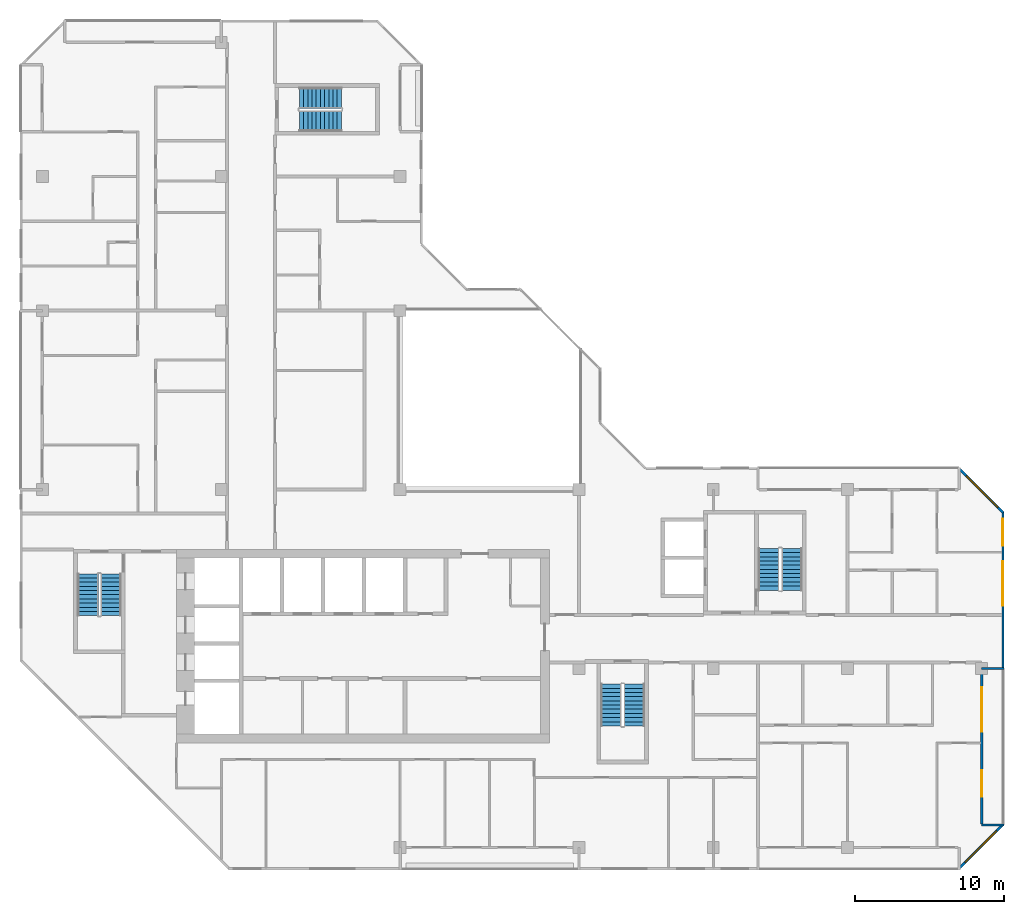
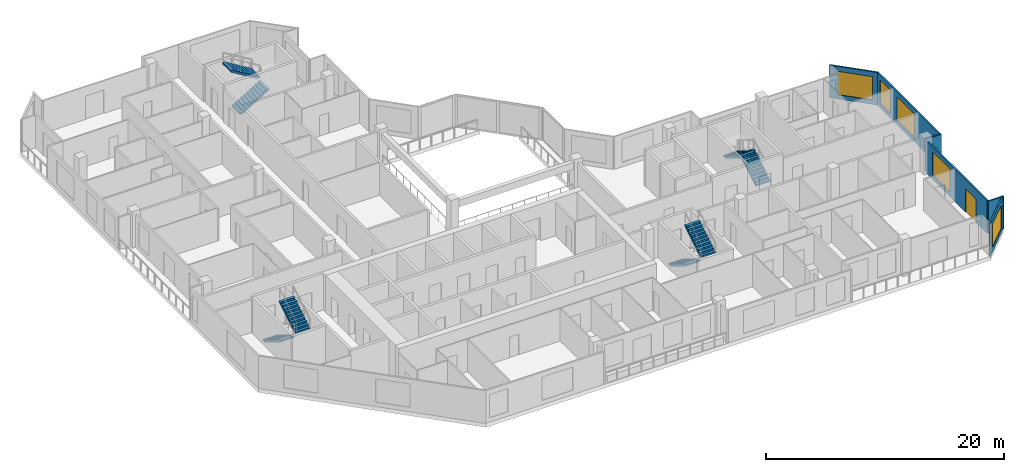
# One storey, part 11 of 13: 8 stair flights, 6 walls, 5 windows, 1 door, 6 openings, 4 elements without a shape of their own.
"""IFC4 building model written with IfcOpenShell, lengths in metres."""

from ifc_helpers import new_model, si_unit, direction, frame, frame_2d, origin, place, context, subcontext, project, spatial, polyline, rectangle, outline, extrude, material, layer, layer_set, type_object, element, fill, aggregate, save


model = new_model("IFC4")

# Units and contexts
model_context = context("Model", 3, precision=1e-05, world=origin(), true_north=direction((0.0, 1.0)))
body_context = subcontext(model_context, "Body", "Model", "MODEL_VIEW")
ifc_project = project(units=[si_unit("LENGTHUNIT", "METRE"), si_unit("AREAUNIT", "SQUARE_METRE"), si_unit("VOLUMEUNIT", "CUBIC_METRE"), si_unit("PLANEANGLEUNIT", "RADIAN"), si_unit("MASSUNIT", "GRAM", prefix="KILO")], contexts=[model_context])

# Site, building, storey
site_placement = place(None, origin())
site = spatial("IfcSite", under=ifc_project, at=site_placement, CompositionType="ELEMENT")
building_placement = place(site_placement, origin())
building = spatial("IfcBuilding", under=site, at=building_placement, Name="Chenar Terraces", CompositionType="ELEMENT")
storey_placement = place(building_placement, frame((0.0, 0.0, 292.14990234375)))
storey = spatial("IfcBuildingStorey", under=building, at=storey_placement, Name="L68", CompositionType="ELEMENT", Elevation=292.14990234375)

# Wall, openings, windows
ifc_material_1 = material(Name="Aluminium framed glazing", Category="aluminium")
ifc_layer_1 = layer(ifc_material_1, 0.14990234375)
ifc_layer_set_1 = layer_set([ifc_layer_1], Name="Aluminium framed glazing")
wall_type_1 = type_object("IfcWallType", Name="Glazed flush facade wall 150", PredefinedType="SOLIDWALL", material=ifc_layer_set_1)
wall_1_placement = place(storey_placement, frame((64.425048828125, 12.074951171875, 0.0), z_axis=(0.0, 0.0, 1.0), x_axis=(0.0, 1.0, 0.0)))
wall_1 = element("IfcWall", 1, at=wall_1_placement, inside=storey, type_object=wall_type_1, Name="Glazed flush facade wall", PredefinedType="SOLIDWALL", context=body_context, shape_type="SweptSolid", body=[
    extrude(rectangle(XDim=10.425048828125, YDim=0.14990234375, at=frame_2d((5.21240234375, 0.0))), origin(), (0.0, 0.0, 1.0), 3.35009765625),
])
opening_1_placement = place(wall_1_placement, frame((4.125, 0.0, 0.449951171875)))
opening_1 = element("IfcOpeningElement", 2, at=opening_1_placement, cuts=wall_1, Name="Opening W300x240", PredefinedType="OPENING", context=body_context, shape_type="SweptSolid", body=[
    extrude(rectangle(XDim=3.0, YDim=2.39990234375, at=frame_2d((1.5, 1.199951171875))), frame((0.0, 0.0849609375, 0.0), z_axis=(0.0, -1.0, 0.0), x_axis=(1.0, 0.0, 0.0)), (0.0, 0.0, 1.0), 0.169921875),
])
opening_2_placement = place(wall_1_placement, frame((8.175048828125, 0.0, 0.449951171875)))
opening_2 = element("IfcOpeningElement", 3, at=opening_2_placement, cuts=wall_1, Name="Opening W180x240", PredefinedType="OPENING", context=body_context, shape_type="SweptSolid", body=[
    extrude(rectangle(XDim=1.800048828125, YDim=2.39990234375, at=frame_2d((0.89990234375, 1.199951171875))), frame((0.0, 0.0849609375, 0.0), z_axis=(0.0, -1.0, 0.0), x_axis=(1.0, 0.0, 0.0)), (0.0, 0.0, 1.0), 0.169921875),
])
ifc_material_2 = material(Name="Low emissivity double glazing, aluminium frame", Category="aluminium")
window_type_1 = type_object("IfcWindowType", Name="Fixed light 1800 x 2400", PartitioningType="SINGLE_PANEL", PredefinedType="WINDOW", material=ifc_material_2)
window_1_placement = place(opening_2_placement, origin())
window_1 = element("IfcWindow", 4, at=window_1_placement, inside=storey, type_object=window_type_1, Name="Window", OverallHeight=2.39990234375, OverallWidth=1.800048828125, PartitioningType="SINGLE_PANEL", PredefinedType="WINDOW", context=body_context, shape_type="SweptSolid", body=[
    extrude(rectangle(XDim=1.800048828125, YDim=2.39990234375, at=frame_2d((0.89990234375, 1.199951171875))), frame((0.0, 0.030029296875, 0.0), z_axis=(0.0, -1.0, 0.0), x_axis=(1.0, 0.0, 0.0)), (0.0, 0.0, 1.0), 0.06005859375),
])
fill(opening_2, window_1)
ifc_material_3 = material(Name="Low emissivity double glazing, aluminium frame", Category="aluminium")
window_type_2 = type_object("IfcWindowType", Name="Fixed light 3000 x 2400", PartitioningType="SINGLE_PANEL", PredefinedType="WINDOW", material=ifc_material_3)
window_2_placement = place(opening_1_placement, origin())
window_2 = element("IfcWindow", 5, at=window_2_placement, inside=storey, type_object=window_type_2, Name="Window", OverallHeight=2.39990234375, OverallWidth=3.0, PartitioningType="SINGLE_PANEL", PredefinedType="WINDOW", context=body_context, shape_type="SweptSolid", body=[
    extrude(rectangle(XDim=3.0, YDim=2.39990234375, at=frame_2d((1.5, 1.199951171875))), frame((0.0, 0.030029296875, 0.0), z_axis=(0.0, -1.0, 0.0), x_axis=(1.0, 0.0, 0.0)), (0.0, 0.0, 1.0), 0.06005859375),
])
fill(opening_1, window_2)

# Wall, openings, window, door
ifc_material_4 = material(Name="Aluminium framed glazing", Category="aluminium")
ifc_layer_2 = layer(ifc_material_4, 0.14990234375)
ifc_layer_set_2 = layer_set([ifc_layer_2], Name="Aluminium framed glazing")
wall_type_2 = type_object("IfcWallType", Name="Glazed loggia back wall 150", PredefinedType="SOLIDWALL", material=ifc_layer_set_2)
wall_2_placement = place(storey_placement, frame((63.0, 1.574951171875, 0.0), z_axis=(0.0, 0.0, 1.0), x_axis=(0.0, 1.0, 0.0)))
wall_2 = element("IfcWall", 6, at=wall_2_placement, inside=storey, type_object=wall_type_2, Name="Glazed loggia back wall", PredefinedType="SOLIDWALL", context=body_context, shape_type="SweptSolid", body=[
    extrude(rectangle(XDim=10.35009765625, YDim=0.14990234375, at=frame_2d((5.175048828125, 0.0))), origin(), (0.0, 0.0, 1.0), 3.35009765625),
])
opening_3_placement = place(wall_2_placement, frame((1.8125, 0.0, 0.0)))
opening_3 = element("IfcOpeningElement", 7, at=opening_3_placement, cuts=wall_2, Name="Opening DL68-G7", PredefinedType="OPENING", context=body_context, shape_type="SweptSolid", body=[
    extrude(rectangle(XDim=1.800048828125, YDim=2.39990234375, at=frame_2d((0.89990234375, 1.199951171875))), frame((0.0, 0.0849609375, 0.0), z_axis=(0.0, -1.0, 0.0), x_axis=(1.0, 0.0, 0.0)), (0.0, 0.0, 1.0), 0.169921875),
])
opening_4_placement = place(wall_2_placement, frame((6.175048828125, 0.0, 0.449951171875)))
opening_4 = element("IfcOpeningElement", 8, at=opening_4_placement, cuts=wall_2, Name="Opening W300x240", PredefinedType="OPENING", context=body_context, shape_type="SweptSolid", body=[
    extrude(rectangle(XDim=3.0, YDim=2.39990234375, at=frame_2d((1.5, 1.199951171875))), frame((0.0, 0.0849609375, 0.0), z_axis=(0.0, -1.0, 0.0), x_axis=(1.0, 0.0, 0.0)), (0.0, 0.0, 1.0), 0.169921875),
])
window_3_placement = place(opening_4_placement, origin())
window_3 = element("IfcWindow", 9, at=window_3_placement, inside=storey, type_object=window_type_2, Name="Window", OverallHeight=2.39990234375, OverallWidth=3.0, PartitioningType="SINGLE_PANEL", PredefinedType="WINDOW", context=body_context, shape_type="SweptSolid", body=[
    extrude(rectangle(XDim=3.0, YDim=2.39990234375, at=frame_2d((1.5, 1.199951171875))), frame((0.0, 0.030029296875, 0.0), z_axis=(0.0, -1.0, 0.0), x_axis=(1.0, 0.0, 0.0)), (0.0, 0.0, 1.0), 0.06005859375),
])
fill(opening_4, window_3)
ifc_material_5 = material(Name="Low emissivity double glazing, aluminium frame", Category="aluminium")
door_type = type_object("IfcDoorType", Name="Loggia glazed double door 1800 x 2400", OperationType="DOUBLE_DOOR_SINGLE_SWING", PredefinedType="DOOR", material=ifc_material_5)
door_placement = place(opening_3_placement, frame((1.800048828125, 0.0, 0.0), z_axis=(0.0, 0.0, 1.0), x_axis=(-1.0, 0.0, 0.0)))
door = element("IfcDoor", 10, at=door_placement, inside=storey, type_object=door_type, Name="Loggia glazed door", OperationType="DOUBLE_DOOR_SINGLE_SWING", OverallHeight=2.39990234375, OverallWidth=1.800048828125, PredefinedType="DOOR", context=body_context, shape_type="SweptSolid", body=[
    extrude(rectangle(XDim=1.800048828125, YDim=2.39990234375, at=frame_2d((0.89990234375, 1.199951171875))), frame((0.0, 0.02490234375, 0.0), z_axis=(0.0, -1.0, 0.0), x_axis=(1.0, 0.0, 0.0)), (0.0, 0.0, 1.0), 0.050048828125),
])
fill(opening_3, door)

# Walls
ifc_material_6 = material(Name="Terracotta cladding on insulated backing", Category="masonry")
ifc_layer_3 = layer(ifc_material_6, 0.14990234375)
ifc_layer_set_3 = layer_set([ifc_layer_3], Name="Terracotta cladding on insulated backing")
wall_type_3 = type_object("IfcWallType", Name="Loggia return wall 150", PredefinedType="SOLIDWALL", material=ifc_layer_set_3)
for number, where, z_axis, x_axis, name in (
    (11, (64.5, 1.5, 0.0), (0.0, 0.0, 1.0), (-1.0, 0.0, 0.0), "Loggia return wall"),
    (12, (64.5, 12.0, 0.0), (0.0, 0.0, 1.0), (-1.0, 0.0, 0.0), "Loggia return wall"),
):
    element("IfcWall", number, at=place(storey_placement, frame(where, z_axis=z_axis, x_axis=x_axis)), inside=storey, type_object=wall_type_3, Name=name, PredefinedType="SOLIDWALL", context=body_context, shape_type="SweptSolid", body=[
        extrude(rectangle(XDim=1.5, YDim=0.14990234375, at=frame_2d((0.75, 0.0))), origin(), (0.0, 0.0, 1.0), 3.35009765625),
    ])

# Wall, opening, window
ifc_material_7 = material(Name="Terracotta cladding on insulated backing", Category="masonry")
ifc_layer_4 = layer(ifc_material_7, 0.14990234375)
ifc_layer_set_4 = layer_set([ifc_layer_4], Name="Terracotta cladding on insulated backing")
wall_type_4 = type_object("IfcWallType", Name="Terracotta rainscreen wall 150", PredefinedType="SOLIDWALL", material=ifc_layer_set_4)
wall_3_placement = place(storey_placement, frame((61.447021484375, -1.447021484375, 0.0), z_axis=(0.0, 0.0, 1.0), x_axis=(0.707106781187, 0.707106781187, 0.0)))
wall_3 = element("IfcWall", 13, at=wall_3_placement, inside=storey, type_object=wall_type_4, Name="Terracotta rainscreen wall", PredefinedType="SOLIDWALL", context=body_context, shape_type="SweptSolid", body=[
    extrude(rectangle(XDim=4.24267578125, YDim=0.14990234375, at=frame_2d((2.121337890625, 0.0))), origin(), (0.0, 0.0, 1.0), 3.35009765625),
])
opening_5_placement = place(wall_3_placement, frame((0.621337890625, 0.0, 0.449951171875)))
opening_5 = element("IfcOpeningElement", 14, at=opening_5_placement, cuts=wall_3, Name="Opening W300x240", PredefinedType="OPENING", context=body_context, shape_type="SweptSolid", body=[
    extrude(rectangle(XDim=3.0, YDim=2.39990234375, at=frame_2d((1.5, 1.199951171875))), frame((0.0, 0.0849609375, 0.0), z_axis=(0.0, -1.0, 0.0), x_axis=(1.0, 0.0, 0.0)), (0.0, 0.0, 1.0), 0.169921875),
])
window_4_placement = place(opening_5_placement, origin())
window_4 = element("IfcWindow", 15, at=window_4_placement, inside=storey, type_object=window_type_2, Name="Window", OverallHeight=2.39990234375, OverallWidth=3.0, PartitioningType="SINGLE_PANEL", PredefinedType="WINDOW", context=body_context, shape_type="SweptSolid", body=[
    extrude(rectangle(XDim=3.0, YDim=2.39990234375, at=frame_2d((1.5, 1.199951171875))), frame((0.0, 0.030029296875, 0.0), z_axis=(0.0, -1.0, 0.0), x_axis=(1.0, 0.0, 0.0)), (0.0, 0.0, 1.0), 0.06005859375),
])
fill(opening_5, window_4)

wall_4_placement = place(storey_placement, frame((64.447021484375, 22.447021484375, 0.0), z_axis=(0.0, 0.0, 1.0), x_axis=(-0.707106781187, 0.707106781187, 0.0)))
wall_4 = element("IfcWall", 16, at=wall_4_placement, inside=storey, type_object=wall_type_4, Name="Terracotta rainscreen wall", PredefinedType="SOLIDWALL", context=body_context, shape_type="SweptSolid", body=[
    extrude(rectangle(XDim=4.24267578125, YDim=0.14990234375, at=frame_2d((2.121337890625, 0.0))), origin(), (0.0, 0.0, 1.0), 3.35009765625),
])
opening_6_placement = place(wall_4_placement, frame((0.498046875, 0.0, 0.449951171875)))
opening_6 = element("IfcOpeningElement", 17, at=opening_6_placement, cuts=wall_4, Name="Opening W300x240", PredefinedType="OPENING", context=body_context, shape_type="SweptSolid", body=[
    extrude(rectangle(XDim=3.0, YDim=2.39990234375, at=frame_2d((1.5, 1.199951171875))), frame((0.0, 0.0849609375, 0.0), z_axis=(0.0, -1.0, 0.0), x_axis=(1.0, 0.0, 0.0)), (0.0, 0.0, 1.0), 0.169921875),
])
window_5_placement = place(opening_6_placement, origin())
window_5 = element("IfcWindow", 18, at=window_5_placement, inside=storey, type_object=window_type_2, Name="Window", OverallHeight=2.39990234375, OverallWidth=3.0, PartitioningType="SINGLE_PANEL", PredefinedType="WINDOW", context=body_context, shape_type="SweptSolid", body=[
    extrude(rectangle(XDim=3.0, YDim=2.39990234375, at=frame_2d((1.5, 1.199951171875))), frame((0.0, 0.030029296875, 0.0), z_axis=(0.0, -1.0, 0.0), x_axis=(1.0, 0.0, 0.0)), (0.0, 0.0, 1.0), 0.06005859375),
])
fill(opening_6, window_5)

# Stair, stair flights
ifc_material_8 = material(Name="Reinforced concrete C40/50", Category="concrete")
stair_type = type_object("IfcStairType", Name="Core stair 1400 half-turn", PredefinedType="HALF_TURN_STAIR", material=ifc_material_8)
placement = place(storey_placement, origin())
stair_1 = element("IfcStair", 19, at=placement, inside=storey, type_object=stair_type, Name="L68 Stair 1", PredefinedType="HALF_TURN_STAIR")
ifc_material_9 = material(Name="Reinforced concrete C40/50", Category="concrete")
stair_flight_type = type_object("IfcStairFlightType", Name="Core stair flight 1400", PredefinedType="STRAIGHT", material=ifc_material_9)
stair_flight_1_placement = place(storey_placement, frame((3.050048828125, 18.35009765625, 0.0), z_axis=(0.0, 0.0, 1.0), x_axis=(0.0, -1.0, 0.0)))
stair_flight_1 = element("IfcStairFlight", 20, at=stair_flight_1_placement, type_object=stair_flight_type, Name="ST1 flight 1", NumberOfRisers=11, NumberOfTreads=10, PredefinedType="STRAIGHT", RiserHeight=0.170454545, TreadLength=0.28, context=body_context, shape_type="SweptSolid", body=[
    extrude(outline(polyline([(-0.0029296875, 0.0), (-0.0029296875, 0.17041015625), (0.0, 0.17041015625), (0.280029296875, 0.17041015625), (0.280029296875, 0.3408203125), (0.56005859375, 0.3408203125), (0.56005859375, 0.511474609375), (0.840087890625, 0.511474609375), (0.840087890625, 0.681884765625), (1.1201171875, 0.681884765625), (1.1201171875, 0.852294921875), (1.39990234375, 0.852294921875), (1.39990234375, 1.022705078125), (1.679931640625, 1.022705078125), (1.679931640625, 1.193115234375), (1.9599609375, 1.193115234375), (1.9599609375, 1.363525390625), (2.239990234375, 1.363525390625), (2.239990234375, 1.5341796875), (2.52001953125, 1.5341796875), (2.52001953125, 1.70458984375), (2.800048828125, 1.70458984375), (2.802978515625, 1.70458984375), (2.802978515625, 1.529052734375), (2.800048828125, 1.529052734375), (0.288330078125, 0.0), (-0.0029296875, 0.0)])), frame((0.0, 0.699951171875, 0.0), z_axis=(0.0, -1.0, 0.0), x_axis=(1.0, 0.0, 0.0)), (0.0, 0.0, 1.0), 1.39990234375),
])
stair_flight_2_placement = place(storey_placement, frame((4.60009765625, 15.550048828125, 1.875), z_axis=(0.0, 0.0, 1.0), x_axis=(0.0, 1.0, 0.0)))
stair_flight_2 = element("IfcStairFlight", 21, at=stair_flight_2_placement, type_object=stair_flight_type, Name="ST1 flight 2", NumberOfRisers=11, NumberOfTreads=10, PredefinedType="STRAIGHT", RiserHeight=0.170454545, TreadLength=0.28, context=body_context, shape_type="SweptSolid", body=[
    extrude(outline(polyline([(-0.0029296875, 0.0), (-0.0029296875, 0.17041015625), (0.0, 0.17041015625), (0.280029296875, 0.17041015625), (0.280029296875, 0.3408203125), (0.56005859375, 0.3408203125), (0.56005859375, 0.511474609375), (0.840087890625, 0.511474609375), (0.840087890625, 0.681884765625), (1.1201171875, 0.681884765625), (1.1201171875, 0.852294921875), (1.39990234375, 0.852294921875), (1.39990234375, 1.022705078125), (1.679931640625, 1.022705078125), (1.679931640625, 1.193115234375), (1.9599609375, 1.193115234375), (1.9599609375, 1.363525390625), (2.239990234375, 1.363525390625), (2.239990234375, 1.5341796875), (2.52001953125, 1.5341796875), (2.52001953125, 1.70458984375), (2.800048828125, 1.70458984375), (2.802978515625, 1.70458984375), (2.802978515625, 1.529052734375), (2.800048828125, 1.529052734375), (0.288330078125, 0.0), (-0.0029296875, 0.0)])), frame((0.0, 0.699951171875, 0.0), z_axis=(0.0, -1.0, 0.0), x_axis=(1.0, 0.0, 0.0)), (0.0, 0.0, 1.0), 1.39990234375),
])
aggregate(stair_1, [stair_flight_1, stair_flight_2])

stair_2 = element("IfcStair", 22, at=placement, inside=storey, type_object=stair_type, Name="L68 Stair 2", PredefinedType="HALF_TURN_STAIR")
stair_flight_3_placement = place(storey_placement, frame((38.14990234375, 10.949951171875, 0.0), z_axis=(0.0, 0.0, 1.0), x_axis=(0.0, -1.0, 0.0)))
stair_flight_3 = element("IfcStairFlight", 23, at=stair_flight_3_placement, type_object=stair_flight_type, Name="ST2 flight 1", NumberOfRisers=11, NumberOfTreads=10, PredefinedType="STRAIGHT", RiserHeight=0.170454545, TreadLength=0.28, context=body_context, shape_type="SweptSolid", body=[
    extrude(outline(polyline([(-0.0029296875, 0.0), (-0.0029296875, 0.17041015625), (0.0, 0.17041015625), (0.280029296875, 0.17041015625), (0.280029296875, 0.3408203125), (0.56005859375, 0.3408203125), (0.56005859375, 0.511474609375), (0.840087890625, 0.511474609375), (0.840087890625, 0.681884765625), (1.1201171875, 0.681884765625), (1.1201171875, 0.852294921875), (1.39990234375, 0.852294921875), (1.39990234375, 1.022705078125), (1.679931640625, 1.022705078125), (1.679931640625, 1.193115234375), (1.9599609375, 1.193115234375), (1.9599609375, 1.363525390625), (2.239990234375, 1.363525390625), (2.239990234375, 1.5341796875), (2.52001953125, 1.5341796875), (2.52001953125, 1.70458984375), (2.800048828125, 1.70458984375), (2.802978515625, 1.70458984375), (2.802978515625, 1.529052734375), (2.800048828125, 1.529052734375), (0.288330078125, 0.0), (-0.0029296875, 0.0)])), frame((0.0, 0.699951171875, 0.0), z_axis=(0.0, -1.0, 0.0), x_axis=(1.0, 0.0, 0.0)), (0.0, 0.0, 1.0), 1.39990234375),
])
stair_flight_4_placement = place(storey_placement, frame((39.699951171875, 8.14990234375, 1.875), z_axis=(0.0, 0.0, 1.0), x_axis=(0.0, 1.0, 0.0)))
stair_flight_4 = element("IfcStairFlight", 24, at=stair_flight_4_placement, type_object=stair_flight_type, Name="ST2 flight 2", NumberOfRisers=11, NumberOfTreads=10, PredefinedType="STRAIGHT", RiserHeight=0.170454545, TreadLength=0.28, context=body_context, shape_type="SweptSolid", body=[
    extrude(outline(polyline([(-0.0029296875, 0.0), (-0.0029296875, 0.17041015625), (0.0, 0.17041015625), (0.280029296875, 0.17041015625), (0.280029296875, 0.3408203125), (0.56005859375, 0.3408203125), (0.56005859375, 0.511474609375), (0.840087890625, 0.511474609375), (0.840087890625, 0.681884765625), (1.1201171875, 0.681884765625), (1.1201171875, 0.852294921875), (1.39990234375, 0.852294921875), (1.39990234375, 1.022705078125), (1.679931640625, 1.022705078125), (1.679931640625, 1.193115234375), (1.9599609375, 1.193115234375), (1.9599609375, 1.363525390625), (2.239990234375, 1.363525390625), (2.239990234375, 1.5341796875), (2.52001953125, 1.5341796875), (2.52001953125, 1.70458984375), (2.800048828125, 1.70458984375), (2.802978515625, 1.70458984375), (2.802978515625, 1.529052734375), (2.800048828125, 1.529052734375), (0.288330078125, 0.0), (-0.0029296875, 0.0)])), frame((0.0, 0.699951171875, 0.0), z_axis=(0.0, -1.0, 0.0), x_axis=(1.0, 0.0, 0.0)), (0.0, 0.0, 1.0), 1.39990234375),
])
aggregate(stair_2, [stair_flight_3, stair_flight_4])

stair_3 = element("IfcStair", 25, at=placement, inside=storey, type_object=stair_type, Name="L68 Stair 3", PredefinedType="HALF_TURN_STAIR")
stair_flight_5_placement = place(storey_placement, frame((50.27490234375, 17.25, 0.0), z_axis=(0.0, 0.0, 1.0), x_axis=(0.0, 1.0, 0.0)))
stair_flight_5 = element("IfcStairFlight", 26, at=stair_flight_5_placement, type_object=stair_flight_type, Name="ST3 flight 1", NumberOfRisers=11, NumberOfTreads=10, PredefinedType="STRAIGHT", RiserHeight=0.170454545, TreadLength=0.28, context=body_context, shape_type="SweptSolid", body=[
    extrude(outline(polyline([(-0.0029296875, 0.0), (-0.0029296875, 0.17041015625), (0.0, 0.17041015625), (0.280029296875, 0.17041015625), (0.280029296875, 0.3408203125), (0.56005859375, 0.3408203125), (0.56005859375, 0.511474609375), (0.840087890625, 0.511474609375), (0.840087890625, 0.681884765625), (1.1201171875, 0.681884765625), (1.1201171875, 0.852294921875), (1.39990234375, 0.852294921875), (1.39990234375, 1.022705078125), (1.679931640625, 1.022705078125), (1.679931640625, 1.193115234375), (1.9599609375, 1.193115234375), (1.9599609375, 1.363525390625), (2.239990234375, 1.363525390625), (2.239990234375, 1.5341796875), (2.52001953125, 1.5341796875), (2.52001953125, 1.70458984375), (2.800048828125, 1.70458984375), (2.802978515625, 1.70458984375), (2.802978515625, 1.529052734375), (2.800048828125, 1.529052734375), (0.288330078125, 0.0), (-0.0029296875, 0.0)])), frame((0.0, 0.699951171875, 0.0), z_axis=(0.0, -1.0, 0.0), x_axis=(1.0, 0.0, 0.0)), (0.0, 0.0, 1.0), 1.39990234375),
])
stair_flight_6_placement = place(storey_placement, frame((48.72509765625, 20.050048828125, 1.875), z_axis=(0.0, 0.0, 1.0), x_axis=(0.0, -1.0, 0.0)))
stair_flight_6 = element("IfcStairFlight", 27, at=stair_flight_6_placement, type_object=stair_flight_type, Name="ST3 flight 2", NumberOfRisers=11, NumberOfTreads=10, PredefinedType="STRAIGHT", RiserHeight=0.170454545, TreadLength=0.28, context=body_context, shape_type="SweptSolid", body=[
    extrude(outline(polyline([(-0.0029296875, 0.0), (-0.0029296875, 0.17041015625), (0.0, 0.17041015625), (0.280029296875, 0.17041015625), (0.280029296875, 0.3408203125), (0.56005859375, 0.3408203125), (0.56005859375, 0.511474609375), (0.840087890625, 0.511474609375), (0.840087890625, 0.681884765625), (1.1201171875, 0.681884765625), (1.1201171875, 0.852294921875), (1.39990234375, 0.852294921875), (1.39990234375, 1.022705078125), (1.679931640625, 1.022705078125), (1.679931640625, 1.193115234375), (1.9599609375, 1.193115234375), (1.9599609375, 1.363525390625), (2.239990234375, 1.363525390625), (2.239990234375, 1.5341796875), (2.52001953125, 1.5341796875), (2.52001953125, 1.70458984375), (2.800048828125, 1.70458984375), (2.802978515625, 1.70458984375), (2.802978515625, 1.529052734375), (2.800048828125, 1.529052734375), (0.288330078125, 0.0), (-0.0029296875, 0.0)])), frame((0.0, 0.699951171875, 0.0), z_axis=(0.0, -1.0, 0.0), x_axis=(1.0, 0.0, 0.0)), (0.0, 0.0, 1.0), 1.39990234375),
])
aggregate(stair_3, [stair_flight_5, stair_flight_6])

stair_4 = element("IfcStair", 28, at=placement, inside=storey, type_object=stair_type, Name="L68 Stair 4", PredefinedType="HALF_TURN_STAIR")
stair_flight_7_placement = place(storey_placement, frame((17.25, 48.72509765625, 0.0), z_axis=(0.0, 0.0, 1.0), x_axis=(1.0, 0.0, 0.0)))
stair_flight_7 = element("IfcStairFlight", 29, at=stair_flight_7_placement, type_object=stair_flight_type, Name="ST4 flight 1", NumberOfRisers=11, NumberOfTreads=10, PredefinedType="STRAIGHT", RiserHeight=0.170454545, TreadLength=0.28, context=body_context, shape_type="SweptSolid", body=[
    extrude(outline(polyline([(-0.0029296875, 0.0), (-0.0029296875, 0.17041015625), (0.0, 0.17041015625), (0.280029296875, 0.17041015625), (0.280029296875, 0.3408203125), (0.56005859375, 0.3408203125), (0.56005859375, 0.511474609375), (0.840087890625, 0.511474609375), (0.840087890625, 0.681884765625), (1.1201171875, 0.681884765625), (1.1201171875, 0.852294921875), (1.39990234375, 0.852294921875), (1.39990234375, 1.022705078125), (1.679931640625, 1.022705078125), (1.679931640625, 1.193115234375), (1.9599609375, 1.193115234375), (1.9599609375, 1.363525390625), (2.239990234375, 1.363525390625), (2.239990234375, 1.5341796875), (2.52001953125, 1.5341796875), (2.52001953125, 1.70458984375), (2.800048828125, 1.70458984375), (2.802978515625, 1.70458984375), (2.802978515625, 1.529052734375), (2.800048828125, 1.529052734375), (0.288330078125, 0.0), (-0.0029296875, 0.0)])), frame((0.0, 0.699951171875, 0.0), z_axis=(0.0, -1.0, 0.0), x_axis=(1.0, 0.0, 0.0)), (0.0, 0.0, 1.0), 1.39990234375),
])
stair_flight_8_placement = place(storey_placement, frame((20.050048828125, 50.27490234375, 1.875), z_axis=(0.0, 0.0, 1.0), x_axis=(-1.0, 0.0, 0.0)))
stair_flight_8 = element("IfcStairFlight", 30, at=stair_flight_8_placement, type_object=stair_flight_type, Name="ST4 flight 2", NumberOfRisers=11, NumberOfTreads=10, PredefinedType="STRAIGHT", RiserHeight=0.170454545, TreadLength=0.28, context=body_context, shape_type="SweptSolid", body=[
    extrude(outline(polyline([(-0.0029296875, 0.0), (-0.0029296875, 0.17041015625), (0.0, 0.17041015625), (0.280029296875, 0.17041015625), (0.280029296875, 0.3408203125), (0.56005859375, 0.3408203125), (0.56005859375, 0.511474609375), (0.840087890625, 0.511474609375), (0.840087890625, 0.681884765625), (1.1201171875, 0.681884765625), (1.1201171875, 0.852294921875), (1.39990234375, 0.852294921875), (1.39990234375, 1.022705078125), (1.679931640625, 1.022705078125), (1.679931640625, 1.193115234375), (1.9599609375, 1.193115234375), (1.9599609375, 1.363525390625), (2.239990234375, 1.363525390625), (2.239990234375, 1.5341796875), (2.52001953125, 1.5341796875), (2.52001953125, 1.70458984375), (2.800048828125, 1.70458984375), (2.802978515625, 1.70458984375), (2.802978515625, 1.529052734375), (2.800048828125, 1.529052734375), (0.288330078125, 0.0), (-0.0029296875, 0.0)])), frame((0.0, 0.699951171875, 0.0), z_axis=(0.0, -1.0, 0.0), x_axis=(1.0, 0.0, 0.0)), (0.0, 0.0, 1.0), 1.39990234375),
])
aggregate(stair_4, [stair_flight_7, stair_flight_8])

save(model, "model.ifc")
